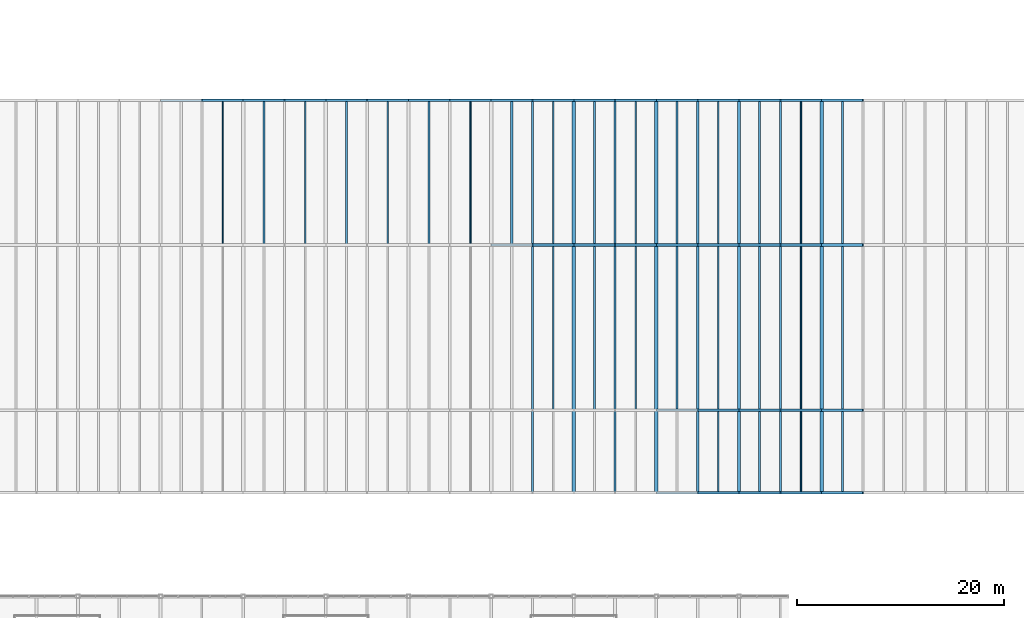
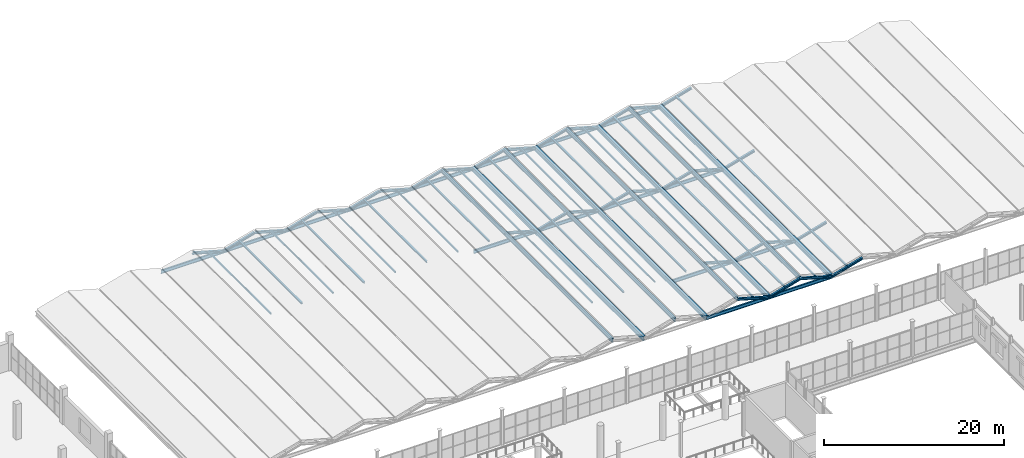
# One storey, part 63 of 114: 60 members, 24 beams.
"""IFC4 building model written with IfcOpenShell, lengths in metres."""

from ifc_helpers import new_model, si_unit, direction, frame, origin, origin_2d, place, context, subcontext, project, spatial, hollow_rectangle, i_section, extrude, material, material_profile, profile_set, type_object, element, save


model = new_model("IFC4")

# Units and contexts
model_context = context("Model", 3, precision=1e-05, world=origin(), true_north=direction((0.0, 1.0)))
body_context = subcontext(model_context, "Body", "Model", "MODEL_VIEW")
ifc_project = project(units=[si_unit("LENGTHUNIT", "METRE"), si_unit("AREAUNIT", "SQUARE_METRE"), si_unit("VOLUMEUNIT", "CUBIC_METRE"), si_unit("PLANEANGLEUNIT", "RADIAN"), si_unit("MASSUNIT", "GRAM", prefix="KILO")], contexts=[model_context])

# Site, building, storey
site_placement = place(None, origin())
site = spatial("IfcSite", under=ifc_project, at=site_placement, CompositionType="ELEMENT")
building_placement = place(site_placement, origin())
building = spatial("IfcBuilding", under=site, at=building_placement, Name="Verrall Gate Interchange", CompositionType="ELEMENT")
storey_placement = place(building_placement, frame((0.0, 0.0, 6.60009765625)))
storey = spatial("IfcBuildingStorey", under=building, at=storey_placement, Name="L02", CompositionType="ELEMENT", Elevation=6.60009765625)

# Beams
ifc_material_1 = material(Name="Structural Steel CSA G40.21 350WT Cat 4", Category="steel")
ifc_material_profile_1 = material_profile(ifc_material_1, i_section(OverallWidth=0.323974609375, OverallDepth=0.611083984375, WebThickness=0.0126953125, FlangeThickness=0.01904296875, FilletRadius=0.014892578125, at=origin_2d()), Name="W610x155")
ifc_profile_set_1 = profile_set([ifc_material_profile_1], Name="Structural Steel CSA G40.21 350WT Cat 4")
beam_type_1 = type_object("IfcBeamType", Name="B-08 Structural Beam W610x155", PredefinedType="BEAM", material=ifc_profile_set_1)
for number, where, z_axis, x_axis, name in (
    (1, (100.0, 66.0, -0.126708984375), (0.0, 1.0, 0.0), (-1.0, 0.0, 0.0), "Bus Roof Valley Girder X=100"),
    (2, (108.0, 66.0, -0.126708984375), (0.0, 1.0, 0.0), (-1.0, 0.0, 0.0), "Bus Roof Valley Girder X=108"),
    (3, (116.0, 66.0, -0.126708984375), (0.0, 1.0, 0.0), (-1.0, 0.0, 0.0), "Bus Roof Valley Girder X=116"),
    (4, (124.0, 66.0, -0.126708984375), (0.0, 1.0, 0.0), (-1.0, 0.0, 0.0), "Bus Roof Valley Girder X=124"),
):
    element("IfcBeam", number, at=place(storey_placement, frame(where, z_axis=z_axis, x_axis=x_axis)), inside=storey, type_object=beam_type_1, Name=name, PredefinedType="BEAM", context=body_context, shape_type="SweptSolid", body=[
        extrude(i_section(OverallWidth=0.323974609375, OverallDepth=0.611083984375, WebThickness=0.0126953125, FlangeThickness=0.01904296875, FilletRadius=0.014892578125, at=origin_2d()), origin(), (0.0, 0.0, 1.0), 38.0),
    ])
ifc_material_2 = material(Name="Structural Steel CSA G40.21 350W", Category="steel")
ifc_material_profile_2 = material_profile(ifc_material_2, i_section(OverallWidth=0.2109375, OverallDepth=0.5390625, WebThickness=0.01171875, FlangeThickness=0.018798828125, FilletRadius=0.013916015625, at=origin_2d()), Name="W530x109")
ifc_profile_set_2 = profile_set([ifc_material_profile_2], Name="Structural Steel CSA G40.21 350W")
beam_type_2 = type_object("IfcBeamType", Name="B-10 Structural Beam W530x109", PredefinedType="BEAM", material=ifc_profile_set_2)
for number, where, z_axis, x_axis, name in (
    (5, (96.0, 66.0, 1.01318359375), (0.0, 1.0, 0.0), (-1.0, 0.0, 0.0), "Bus Roof Ridge Girder 07"),
    (6, (104.0, 66.0, 1.01318359375), (0.0, 1.0, 0.0), (-1.0, 0.0, 0.0), "Bus Roof Ridge Girder 08"),
    (7, (112.0, 66.0, 1.01318359375), (0.0, 1.0, 0.0), (-1.0, 0.0, 0.0), "Bus Roof Ridge Girder 09"),
    (8, (120.0, 66.0, 1.01318359375), (0.0, 1.0, 0.0), (-1.0, 0.0, 0.0), "Bus Roof Ridge Girder 10"),
):
    element("IfcBeam", number, at=place(storey_placement, frame(where, z_axis=z_axis, x_axis=x_axis)), inside=storey, type_object=beam_type_2, Name=name, PredefinedType="BEAM", context=body_context, shape_type="SweptSolid", body=[
        extrude(i_section(OverallWidth=0.2109375, OverallDepth=0.5390625, WebThickness=0.01171875, FlangeThickness=0.018798828125, FilletRadius=0.013916015625, at=origin_2d()), origin(), (0.0, 0.0, 1.0), 38.0),
    ])
ifc_material_3 = material(Name="Structural Steel CSA G40.21 350W", Category="steel")
ifc_material_profile_3 = material_profile(ifc_material_3, i_section(OverallWidth=0.19189453125, OverallDepth=0.462890625, WebThickness=0.010498046875, FlangeThickness=0.017578125, FilletRadius=0.012939453125, at=origin_2d()), Name="W460x89")
ifc_profile_set_3 = profile_set([ifc_material_profile_3], Name="Structural Steel CSA G40.21 350W")
beam_type_3 = type_object("IfcBeamType", Name="B-11 Structural Beam W460x89", PredefinedType="BEAM", material=ifc_profile_set_3)
for number, where, z_axis, x_axis, name in (
    (9, (60.0, 104.0, -0.126708984375), (1.0, 0.0, 0.0), (0.0, 1.0, 0.0), "Bus Roof Tie Girder 3.104"),
    (10, (68.0, 104.0, -0.126708984375), (1.0, 0.0, 0.0), (0.0, 1.0, 0.0), "Bus Roof Tie Girder 4.104"),
    (11, (76.0, 104.0, -0.126708984375), (1.0, 0.0, 0.0), (0.0, 1.0, 0.0), "Bus Roof Tie Girder 5.104"),
    (12, (84.0, 104.0, -0.126708984375), (1.0, 0.0, 0.0), (0.0, 1.0, 0.0), "Bus Roof Tie Girder 6.104"),
    (13, (92.0, 90.0, -0.126708984375), (1.0, 0.0, 0.0), (0.0, 1.0, 0.0), "Bus Roof Tie Girder 7.90"),
    (14, (92.0, 104.0, -0.126708984375), (1.0, 0.0, 0.0), (0.0, 1.0, 0.0), "Bus Roof Tie Girder 7.104"),
    (15, (100.0, 90.0, -0.126708984375), (1.0, 0.0, 0.0), (0.0, 1.0, 0.0), "Bus Roof Tie Girder 8.90"),
    (16, (100.0, 104.0, -0.126708984375), (1.0, 0.0, 0.0), (0.0, 1.0, 0.0), "Bus Roof Tie Girder 8.104"),
    (17, (108.0, 66.0, -0.126708984375), (1.0, 0.0, 0.0), (0.0, 1.0, 0.0), "Bus Roof Tie Girder 9.66"),
    (18, (108.0, 74.0, -0.126708984375), (1.0, 0.0, 0.0), (0.0, 1.0, 0.0), "Bus Roof Tie Girder 9.74"),
    (19, (108.0, 90.0, -0.126708984375), (1.0, 0.0, 0.0), (0.0, 1.0, 0.0), "Bus Roof Tie Girder 9.90"),
    (20, (108.0, 104.0, -0.126708984375), (1.0, 0.0, 0.0), (0.0, 1.0, 0.0), "Bus Roof Tie Girder 9.104"),
    (21, (116.0, 66.0, -0.126708984375), (1.0, 0.0, 0.0), (0.0, 1.0, 0.0), "Bus Roof Tie Girder 10.66"),
    (22, (116.0, 74.0, -0.126708984375), (1.0, 0.0, 0.0), (0.0, 1.0, 0.0), "Bus Roof Tie Girder 10.74"),
    (23, (116.0, 90.0, -0.126708984375), (1.0, 0.0, 0.0), (0.0, 1.0, 0.0), "Bus Roof Tie Girder 10.90"),
    (24, (116.0, 104.0, -0.126708984375), (1.0, 0.0, 0.0), (0.0, 1.0, 0.0), "Bus Roof Tie Girder 10.104"),
):
    element("IfcBeam", number, at=place(storey_placement, frame(where, z_axis=z_axis, x_axis=x_axis)), inside=storey, type_object=beam_type_3, Name=name, PredefinedType="BEAM", context=body_context, shape_type="SweptSolid", body=[
        extrude(i_section(OverallWidth=0.19189453125, OverallDepth=0.462890625, WebThickness=0.010498046875, FlangeThickness=0.017578125, FilletRadius=0.012939453125, at=origin_2d()), origin(), (0.0, 0.0, 1.0), 8.0),
    ])

# Members
ifc_material_4 = material(Name="Structural Steel CSA G40.21 350WT Cat 4", Category="steel")
ifc_material_profile_4 = material_profile(ifc_material_4, i_section(OverallWidth=0.202880859375, OverallDepth=0.202880859375, WebThickness=0.007080078125, FlangeThickness=0.010986328125, FilletRadius=0.010009765625, at=origin_2d()), Name="W200x46")
ifc_profile_set_4 = profile_set([ifc_material_profile_4], Name="Structural Steel CSA G40.21 350WT Cat 4")
member_type_1 = type_object("IfcMemberType", Name="PR-02 Roof Purlin W200x46", PredefinedType="PURLIN", material=ifc_profile_set_4)
for number, where, z_axis, x_axis, name in (
    (25, (70.0, 90.0, 0.59326171875), (0.0, 1.0, 0.0), (-1.0, 0.0, 0.0), "Bus Roof Purlin W 4.90"),
    (26, (78.0, 90.0, 0.59326171875), (0.0, 1.0, 0.0), (-1.0, 0.0, 0.0), "Bus Roof Purlin W 5.90"),
    (27, (86.0, 90.0, 0.59326171875), (0.0, 1.0, 0.0), (-1.0, 0.0, 0.0), "Bus Roof Purlin W 6.90"),
    (28, (94.0, 90.0, 0.59326171875), (0.0, 1.0, 0.0), (-1.0, 0.0, 0.0), "Bus Roof Purlin W 7.90"),
):
    element("IfcMember", number, at=place(storey_placement, frame(where, z_axis=z_axis, x_axis=x_axis)), inside=storey, type_object=member_type_1, Name=name, PredefinedType="PURLIN", context=body_context, shape_type="SweptSolid", body=[
        extrude(i_section(OverallWidth=0.202880859375, OverallDepth=0.202880859375, WebThickness=0.007080078125, FlangeThickness=0.010986328125, FilletRadius=0.010009765625, at=origin_2d()), origin(), (0.0, 0.0, 1.0), 14.0),
    ])
member_1_placement = place(storey_placement, frame((102.0, 74.0, 0.59326171875), z_axis=(0.0, 1.0, 0.0), x_axis=(-1.0, 0.0, 0.0)))
element("IfcMember", 29, at=member_1_placement, inside=storey, type_object=member_type_1, Name="Bus Roof Purlin W 8.74", PredefinedType="PURLIN", context=body_context, shape_type="SweptSolid", body=[
    extrude(i_section(OverallWidth=0.202880859375, OverallDepth=0.202880859375, WebThickness=0.007080078125, FlangeThickness=0.010986328125, FilletRadius=0.010009765625, at=origin_2d()), origin(), (0.0, 0.0, 1.0), 16.0),
])
member_2_placement = place(storey_placement, frame((102.0, 90.0, 0.59326171875), z_axis=(0.0, 1.0, 0.0), x_axis=(-1.0, 0.0, 0.0)))
element("IfcMember", 30, at=member_2_placement, inside=storey, type_object=member_type_1, Name="Bus Roof Purlin W 8.90", PredefinedType="PURLIN", context=body_context, shape_type="SweptSolid", body=[
    extrude(i_section(OverallWidth=0.202880859375, OverallDepth=0.202880859375, WebThickness=0.007080078125, FlangeThickness=0.010986328125, FilletRadius=0.010009765625, at=origin_2d()), origin(), (0.0, 0.0, 1.0), 14.0),
])
member_3_placement = place(storey_placement, frame((110.0, 74.0, 0.59326171875), z_axis=(0.0, 1.0, 0.0), x_axis=(-1.0, 0.0, 0.0)))
element("IfcMember", 31, at=member_3_placement, inside=storey, type_object=member_type_1, Name="Bus Roof Purlin W 9.74", PredefinedType="PURLIN", context=body_context, shape_type="SweptSolid", body=[
    extrude(i_section(OverallWidth=0.202880859375, OverallDepth=0.202880859375, WebThickness=0.007080078125, FlangeThickness=0.010986328125, FilletRadius=0.010009765625, at=origin_2d()), origin(), (0.0, 0.0, 1.0), 16.0),
])
member_4_placement = place(storey_placement, frame((110.0, 90.0, 0.59326171875), z_axis=(0.0, 1.0, 0.0), x_axis=(-1.0, 0.0, 0.0)))
element("IfcMember", 32, at=member_4_placement, inside=storey, type_object=member_type_1, Name="Bus Roof Purlin W 9.90", PredefinedType="PURLIN", context=body_context, shape_type="SweptSolid", body=[
    extrude(i_section(OverallWidth=0.202880859375, OverallDepth=0.202880859375, WebThickness=0.007080078125, FlangeThickness=0.010986328125, FilletRadius=0.010009765625, at=origin_2d()), origin(), (0.0, 0.0, 1.0), 14.0),
])
member_5_placement = place(storey_placement, frame((118.0, 66.0, 0.59326171875), z_axis=(0.0, 1.0, 0.0), x_axis=(-1.0, 0.0, 0.0)))
element("IfcMember", 33, at=member_5_placement, inside=storey, type_object=member_type_1, Name="Bus Roof Purlin W 10.66", PredefinedType="PURLIN", context=body_context, shape_type="SweptSolid", body=[
    extrude(i_section(OverallWidth=0.202880859375, OverallDepth=0.202880859375, WebThickness=0.007080078125, FlangeThickness=0.010986328125, FilletRadius=0.010009765625, at=origin_2d()), origin(), (0.0, 0.0, 1.0), 8.0),
])
member_6_placement = place(storey_placement, frame((118.0, 74.0, 0.59326171875), z_axis=(0.0, 1.0, 0.0), x_axis=(-1.0, 0.0, 0.0)))
element("IfcMember", 34, at=member_6_placement, inside=storey, type_object=member_type_1, Name="Bus Roof Purlin W 10.74", PredefinedType="PURLIN", context=body_context, shape_type="SweptSolid", body=[
    extrude(i_section(OverallWidth=0.202880859375, OverallDepth=0.202880859375, WebThickness=0.007080078125, FlangeThickness=0.010986328125, FilletRadius=0.010009765625, at=origin_2d()), origin(), (0.0, 0.0, 1.0), 16.0),
])
member_7_placement = place(storey_placement, frame((118.0, 90.0, 0.59326171875), z_axis=(0.0, 1.0, 0.0), x_axis=(-1.0, 0.0, 0.0)))
element("IfcMember", 35, at=member_7_placement, inside=storey, type_object=member_type_1, Name="Bus Roof Purlin W 10.90", PredefinedType="PURLIN", context=body_context, shape_type="SweptSolid", body=[
    extrude(i_section(OverallWidth=0.202880859375, OverallDepth=0.202880859375, WebThickness=0.007080078125, FlangeThickness=0.010986328125, FilletRadius=0.010009765625, at=origin_2d()), origin(), (0.0, 0.0, 1.0), 14.0),
])
member_8_placement = place(storey_placement, frame((126.0, 66.0, 0.59326171875), z_axis=(0.0, 1.0, 0.0), x_axis=(-1.0, 0.0, 0.0)))
element("IfcMember", 36, at=member_8_placement, inside=storey, type_object=member_type_1, Name="Bus Roof Purlin W 11.66", PredefinedType="PURLIN", context=body_context, shape_type="SweptSolid", body=[
    extrude(i_section(OverallWidth=0.202880859375, OverallDepth=0.202880859375, WebThickness=0.007080078125, FlangeThickness=0.010986328125, FilletRadius=0.010009765625, at=origin_2d()), origin(), (0.0, 0.0, 1.0), 8.0),
])
member_9_placement = place(storey_placement, frame((126.0, 74.0, 0.59326171875), z_axis=(0.0, 1.0, 0.0), x_axis=(-1.0, 0.0, 0.0)))
element("IfcMember", 37, at=member_9_placement, inside=storey, type_object=member_type_1, Name="Bus Roof Purlin W 11.74", PredefinedType="PURLIN", context=body_context, shape_type="SweptSolid", body=[
    extrude(i_section(OverallWidth=0.202880859375, OverallDepth=0.202880859375, WebThickness=0.007080078125, FlangeThickness=0.010986328125, FilletRadius=0.010009765625, at=origin_2d()), origin(), (0.0, 0.0, 1.0), 16.0),
])
member_10_placement = place(storey_placement, frame((126.0, 90.0, 0.59326171875), z_axis=(0.0, 1.0, 0.0), x_axis=(-1.0, 0.0, 0.0)))
element("IfcMember", 38, at=member_10_placement, inside=storey, type_object=member_type_1, Name="Bus Roof Purlin W 11.90", PredefinedType="PURLIN", context=body_context, shape_type="SweptSolid", body=[
    extrude(i_section(OverallWidth=0.202880859375, OverallDepth=0.202880859375, WebThickness=0.007080078125, FlangeThickness=0.010986328125, FilletRadius=0.010009765625, at=origin_2d()), origin(), (0.0, 0.0, 1.0), 14.0),
])
ifc_material_5 = material(Name="Structural Steel CSA G40.21 350WT Cat 4", Category="steel")
ifc_material_profile_5 = material_profile(ifc_material_5, hollow_rectangle(XDim=0.152099609375, YDim=0.202880859375, WallThickness=0.008056640625, InnerFilletRadius=0.008056640625, OuterFilletRadius=0.015869140625, at=origin_2d()), Name="HSS203x152x8.0")
ifc_profile_set_5 = profile_set([ifc_material_profile_5], Name="Structural Steel CSA G40.21 350WT Cat 4")
member_type_2 = type_object("IfcMemberType", Name="PR-04 Roof Purlin HSS203x152x8.0", PredefinedType="PURLIN", material=ifc_profile_set_5)
for number, where, z_axis, x_axis, name in (
    (39, (66.0, 90.0, 0.59326171875), (0.0, 1.0, 0.0), (-1.0, 0.0, 0.0), "Bus Roof Purlin E 3.90"),
    (40, (74.0, 90.0, 0.59326171875), (0.0, 1.0, 0.0), (-1.0, 0.0, 0.0), "Bus Roof Purlin E 4.90"),
    (41, (82.0, 90.0, 0.59326171875), (0.0, 1.0, 0.0), (-1.0, 0.0, 0.0), "Bus Roof Purlin E 5.90"),
    (42, (90.0, 90.0, 0.59326171875), (0.0, 1.0, 0.0), (-1.0, 0.0, 0.0), "Bus Roof Purlin E 6.90"),
):
    element("IfcMember", number, at=place(storey_placement, frame(where, z_axis=z_axis, x_axis=x_axis)), inside=storey, type_object=member_type_2, Name=name, PredefinedType="PURLIN", context=body_context, shape_type="SweptSolid", body=[
        extrude(hollow_rectangle(XDim=0.152099609375, YDim=0.202880859375, WallThickness=0.008056640625, InnerFilletRadius=0.008056640625, OuterFilletRadius=0.015869140625, at=origin_2d()), origin(), (0.0, 0.0, 1.0), 14.0),
    ])
member_11_placement = place(storey_placement, frame((98.0, 74.0, 0.59326171875), z_axis=(0.0, 1.0, 0.0), x_axis=(-1.0, 0.0, 0.0)))
element("IfcMember", 43, at=member_11_placement, inside=storey, type_object=member_type_2, Name="Bus Roof Purlin E 7.74", PredefinedType="PURLIN", context=body_context, shape_type="SweptSolid", body=[
    extrude(hollow_rectangle(XDim=0.152099609375, YDim=0.202880859375, WallThickness=0.008056640625, InnerFilletRadius=0.008056640625, OuterFilletRadius=0.015869140625, at=origin_2d()), origin(), (0.0, 0.0, 1.0), 16.0),
])
member_12_placement = place(storey_placement, frame((98.0, 90.0, 0.59326171875), z_axis=(0.0, 1.0, 0.0), x_axis=(-1.0, 0.0, 0.0)))
element("IfcMember", 44, at=member_12_placement, inside=storey, type_object=member_type_2, Name="Bus Roof Purlin E 7.90", PredefinedType="PURLIN", context=body_context, shape_type="SweptSolid", body=[
    extrude(hollow_rectangle(XDim=0.152099609375, YDim=0.202880859375, WallThickness=0.008056640625, InnerFilletRadius=0.008056640625, OuterFilletRadius=0.015869140625, at=origin_2d()), origin(), (0.0, 0.0, 1.0), 14.0),
])
member_13_placement = place(storey_placement, frame((106.0, 74.0, 0.59326171875), z_axis=(0.0, 1.0, 0.0), x_axis=(-1.0, 0.0, 0.0)))
element("IfcMember", 45, at=member_13_placement, inside=storey, type_object=member_type_2, Name="Bus Roof Purlin E 8.74", PredefinedType="PURLIN", context=body_context, shape_type="SweptSolid", body=[
    extrude(hollow_rectangle(XDim=0.152099609375, YDim=0.202880859375, WallThickness=0.008056640625, InnerFilletRadius=0.008056640625, OuterFilletRadius=0.015869140625, at=origin_2d()), origin(), (0.0, 0.0, 1.0), 16.0),
])
member_14_placement = place(storey_placement, frame((106.0, 90.0, 0.59326171875), z_axis=(0.0, 1.0, 0.0), x_axis=(-1.0, 0.0, 0.0)))
element("IfcMember", 46, at=member_14_placement, inside=storey, type_object=member_type_2, Name="Bus Roof Purlin E 8.90", PredefinedType="PURLIN", context=body_context, shape_type="SweptSolid", body=[
    extrude(hollow_rectangle(XDim=0.152099609375, YDim=0.202880859375, WallThickness=0.008056640625, InnerFilletRadius=0.008056640625, OuterFilletRadius=0.015869140625, at=origin_2d()), origin(), (0.0, 0.0, 1.0), 14.0),
])
member_15_placement = place(storey_placement, frame((114.0, 66.0, 0.59326171875), z_axis=(0.0, 1.0, 0.0), x_axis=(-1.0, 0.0, 0.0)))
element("IfcMember", 47, at=member_15_placement, inside=storey, type_object=member_type_2, Name="Bus Roof Purlin E 9.66", PredefinedType="PURLIN", context=body_context, shape_type="SweptSolid", body=[
    extrude(hollow_rectangle(XDim=0.152099609375, YDim=0.202880859375, WallThickness=0.008056640625, InnerFilletRadius=0.008056640625, OuterFilletRadius=0.015869140625, at=origin_2d()), origin(), (0.0, 0.0, 1.0), 8.0),
])
member_16_placement = place(storey_placement, frame((114.0, 74.0, 0.59326171875), z_axis=(0.0, 1.0, 0.0), x_axis=(-1.0, 0.0, 0.0)))
element("IfcMember", 48, at=member_16_placement, inside=storey, type_object=member_type_2, Name="Bus Roof Purlin E 9.74", PredefinedType="PURLIN", context=body_context, shape_type="SweptSolid", body=[
    extrude(hollow_rectangle(XDim=0.152099609375, YDim=0.202880859375, WallThickness=0.008056640625, InnerFilletRadius=0.008056640625, OuterFilletRadius=0.015869140625, at=origin_2d()), origin(), (0.0, 0.0, 1.0), 16.0),
])
member_17_placement = place(storey_placement, frame((114.0, 90.0, 0.59326171875), z_axis=(0.0, 1.0, 0.0), x_axis=(-1.0, 0.0, 0.0)))
element("IfcMember", 49, at=member_17_placement, inside=storey, type_object=member_type_2, Name="Bus Roof Purlin E 9.90", PredefinedType="PURLIN", context=body_context, shape_type="SweptSolid", body=[
    extrude(hollow_rectangle(XDim=0.152099609375, YDim=0.202880859375, WallThickness=0.008056640625, InnerFilletRadius=0.008056640625, OuterFilletRadius=0.015869140625, at=origin_2d()), origin(), (0.0, 0.0, 1.0), 14.0),
])
member_18_placement = place(storey_placement, frame((122.0, 66.0, 0.59326171875), z_axis=(0.0, 1.0, 0.0), x_axis=(-1.0, 0.0, 0.0)))
element("IfcMember", 50, at=member_18_placement, inside=storey, type_object=member_type_2, Name="Bus Roof Purlin E 10.66", PredefinedType="PURLIN", context=body_context, shape_type="SweptSolid", body=[
    extrude(hollow_rectangle(XDim=0.152099609375, YDim=0.202880859375, WallThickness=0.008056640625, InnerFilletRadius=0.008056640625, OuterFilletRadius=0.015869140625, at=origin_2d()), origin(), (0.0, 0.0, 1.0), 8.0),
])
member_19_placement = place(storey_placement, frame((122.0, 74.0, 0.59326171875), z_axis=(0.0, 1.0, 0.0), x_axis=(-1.0, 0.0, 0.0)))
element("IfcMember", 51, at=member_19_placement, inside=storey, type_object=member_type_2, Name="Bus Roof Purlin E 10.74", PredefinedType="PURLIN", context=body_context, shape_type="SweptSolid", body=[
    extrude(hollow_rectangle(XDim=0.152099609375, YDim=0.202880859375, WallThickness=0.008056640625, InnerFilletRadius=0.008056640625, OuterFilletRadius=0.015869140625, at=origin_2d()), origin(), (0.0, 0.0, 1.0), 16.0),
])
member_20_placement = place(storey_placement, frame((122.0, 90.0, 0.59326171875), z_axis=(0.0, 1.0, 0.0), x_axis=(-1.0, 0.0, 0.0)))
element("IfcMember", 52, at=member_20_placement, inside=storey, type_object=member_type_2, Name="Bus Roof Purlin E 10.90", PredefinedType="PURLIN", context=body_context, shape_type="SweptSolid", body=[
    extrude(hollow_rectangle(XDim=0.152099609375, YDim=0.202880859375, WallThickness=0.008056640625, InnerFilletRadius=0.008056640625, OuterFilletRadius=0.015869140625, at=origin_2d()), origin(), (0.0, 0.0, 1.0), 14.0),
])
ifc_material_6 = material(Name="Structural Steel CSA G40.21 350WT Cat 4", Category="steel")
ifc_material_profile_6 = material_profile(ifc_material_6, i_section(OverallWidth=0.25390625, OverallDepth=0.305908203125, WebThickness=0.0087890625, FlangeThickness=0.0146484375, FilletRadius=0.012939453125, at=origin_2d()), Name="W310x79")
ifc_profile_set_6 = profile_set([ifc_material_profile_6], Name="Structural Steel CSA G40.21 350WT Cat 4")
member_type_3 = type_object("IfcMemberType", Name="RF-03 Folded Roof Rafter W310x79", PredefinedType="RAFTER", material=ifc_profile_set_6)
for number, where, z_axis, x_axis, name in (
    (53, (64.0, 104.0, 1.01318359375), (0.961711999212, 0.0, -0.274062092549), (0.0, 1.0, 0.0), "Bus Roof Rafter E 3.104"),
    (54, (68.0, 104.0, -0.126708984375), (0.961711999212, 0.0, 0.274062092549), (0.0, 1.0, 0.0), "Bus Roof Rafter W 4.104"),
    (55, (72.0, 104.0, 1.01318359375), (0.961711999212, 0.0, -0.274062092549), (0.0, 1.0, 0.0), "Bus Roof Rafter E 4.104"),
    (56, (76.0, 104.0, -0.126708984375), (0.961711999212, 0.0, 0.274062092549), (0.0, 1.0, 0.0), "Bus Roof Rafter W 5.104"),
    (57, (80.0, 104.0, 1.01318359375), (0.961711999212, 0.0, -0.274062092549), (0.0, 1.0, 0.0), "Bus Roof Rafter E 5.104"),
    (58, (84.0, 104.0, -0.126708984375), (0.961711999212, 0.0, 0.274062092549), (0.0, 1.0, 0.0), "Bus Roof Rafter W 6.104"),
    (59, (88.0, 104.0, 1.01318359375), (0.961711999212, 0.0, -0.274062092549), (0.0, 1.0, 0.0), "Bus Roof Rafter E 6.104"),
    (60, (96.0, 90.0, 1.01318359375), (0.961711999212, 0.0, -0.274062092549), (0.0, 1.0, 0.0), "Bus Roof Rafter E 7.90"),
    (61, (92.0, 104.0, -0.126708984375), (0.961711999212, 0.0, 0.274062092549), (0.0, 1.0, 0.0), "Bus Roof Rafter W 7.104"),
    (62, (96.0, 104.0, 1.01318359375), (0.961711999212, 0.0, -0.274062092549), (0.0, 1.0, 0.0), "Bus Roof Rafter E 7.104"),
    (63, (100.0, 90.0, -0.126708984375), (0.961711999212, 0.0, 0.274062092549), (0.0, 1.0, 0.0), "Bus Roof Rafter W 8.90"),
    (64, (104.0, 90.0, 1.01318359375), (0.961711999212, 0.0, -0.274062092549), (0.0, 1.0, 0.0), "Bus Roof Rafter E 8.90"),
    (65, (100.0, 104.0, -0.126708984375), (0.961711999212, 0.0, 0.274062092549), (0.0, 1.0, 0.0), "Bus Roof Rafter W 8.104"),
    (66, (104.0, 104.0, 1.01318359375), (0.961711999212, 0.0, -0.274062092549), (0.0, 1.0, 0.0), "Bus Roof Rafter E 8.104"),
    (67, (112.0, 66.0, 1.01318359375), (0.961711999212, 0.0, -0.274062092549), (0.0, 1.0, 0.0), "Bus Roof Rafter E 9.66"),
    (68, (112.0, 74.0, 1.01318359375), (0.961711999212, 0.0, -0.274062092549), (0.0, 1.0, 0.0), "Bus Roof Rafter E 9.74"),
    (69, (108.0, 90.0, -0.126708984375), (0.961711999212, 0.0, 0.274062092549), (0.0, 1.0, 0.0), "Bus Roof Rafter W 9.90"),
    (70, (112.0, 90.0, 1.01318359375), (0.961711999212, 0.0, -0.274062092549), (0.0, 1.0, 0.0), "Bus Roof Rafter E 9.90"),
    (71, (108.0, 104.0, -0.126708984375), (0.961711999212, 0.0, 0.274062092549), (0.0, 1.0, 0.0), "Bus Roof Rafter W 9.104"),
    (72, (112.0, 104.0, 1.01318359375), (0.961711999212, 0.0, -0.274062092549), (0.0, 1.0, 0.0), "Bus Roof Rafter E 9.104"),
    (73, (116.0, 66.0, -0.126708984375), (0.961711999212, 0.0, 0.274062092549), (0.0, 1.0, 0.0), "Bus Roof Rafter W 10.66"),
    (74, (120.0, 66.0, 1.01318359375), (0.961711999212, 0.0, -0.274062092549), (0.0, 1.0, 0.0), "Bus Roof Rafter E 10.66"),
    (75, (116.0, 74.0, -0.126708984375), (0.961711999212, 0.0, 0.274062092549), (0.0, 1.0, 0.0), "Bus Roof Rafter W 10.74"),
    (76, (120.0, 74.0, 1.01318359375), (0.961711999212, 0.0, -0.274062092549), (0.0, 1.0, 0.0), "Bus Roof Rafter E 10.74"),
    (77, (116.0, 90.0, -0.126708984375), (0.961711999212, 0.0, 0.274062092549), (0.0, 1.0, 0.0), "Bus Roof Rafter W 10.90"),
    (78, (120.0, 90.0, 1.01318359375), (0.961711999212, 0.0, -0.274062092549), (0.0, 1.0, 0.0), "Bus Roof Rafter E 10.90"),
    (79, (116.0, 104.0, -0.126708984375), (0.961711999212, 0.0, 0.274062092549), (0.0, 1.0, 0.0), "Bus Roof Rafter W 10.104"),
    (80, (120.0, 104.0, 1.01318359375), (0.961711999212, 0.0, -0.274062092549), (0.0, 1.0, 0.0), "Bus Roof Rafter E 10.104"),
    (81, (124.0, 66.0, -0.126708984375), (0.961711999212, 0.0, 0.274062092549), (0.0, 1.0, 0.0), "Bus Roof Rafter W 11.66"),
    (82, (124.0, 74.0, -0.126708984375), (0.961711999212, 0.0, 0.274062092549), (0.0, 1.0, 0.0), "Bus Roof Rafter W 11.74"),
    (83, (124.0, 90.0, -0.126708984375), (0.961711999212, 0.0, 0.274062092549), (0.0, 1.0, 0.0), "Bus Roof Rafter W 11.90"),
    (84, (124.0, 104.0, -0.126708984375), (0.961711999212, 0.0, 0.274062092549), (0.0, 1.0, 0.0), "Bus Roof Rafter W 11.104"),
):
    element("IfcMember", number, at=place(storey_placement, frame(where, z_axis=z_axis, x_axis=x_axis)), inside=storey, type_object=member_type_3, Name=name, PredefinedType="RAFTER", context=body_context, shape_type="SweptSolid", body=[
        extrude(i_section(OverallWidth=0.25390625, OverallDepth=0.305908203125, WebThickness=0.0087890625, FlangeThickness=0.0146484375, FilletRadius=0.012939453125, at=origin_2d()), origin(), (0.0, 0.0, 1.0), 4.1591796875),
    ])

save(model, "model.ifc")
